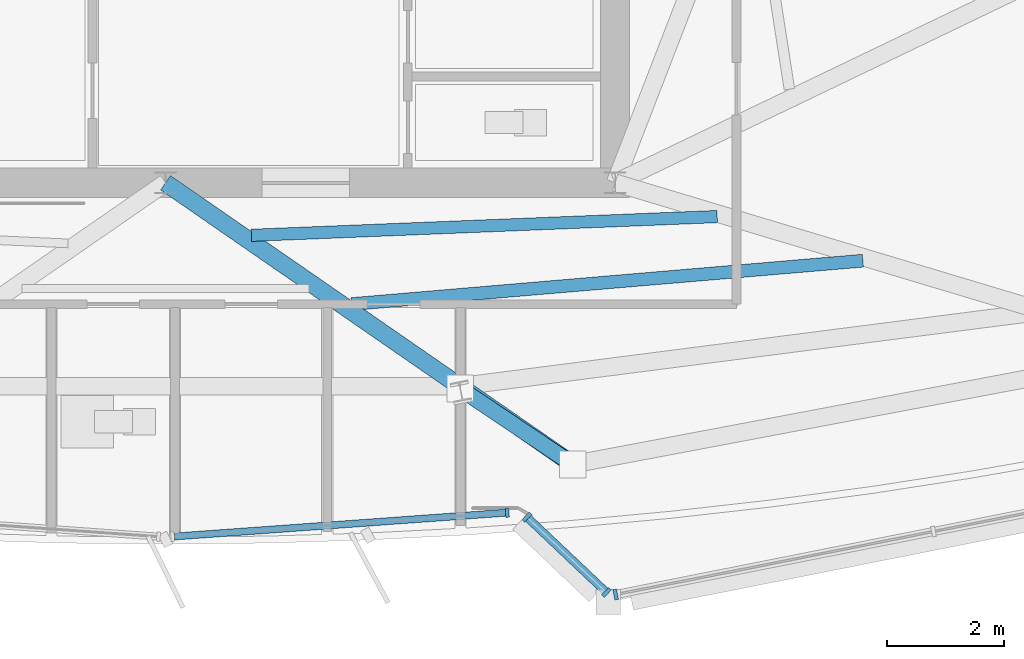
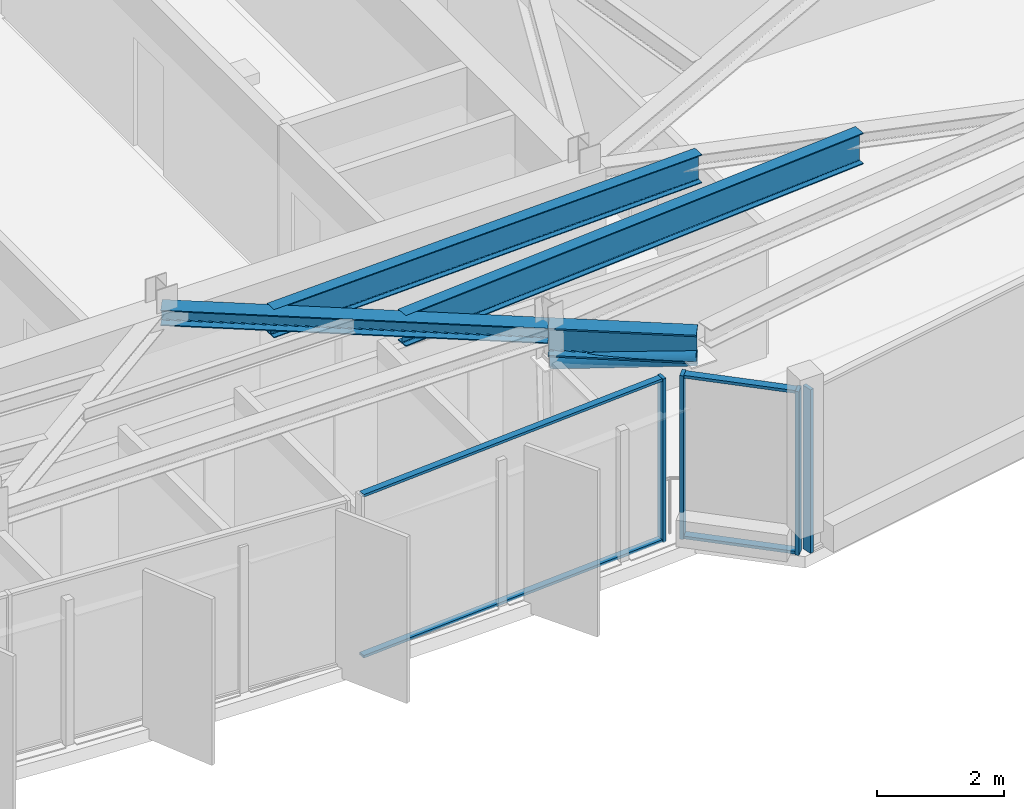
# One storey, part 3 of 13: 9 members, 4 beams, 3 elements without a shape of their own.
"""IFC4 building model written with IfcOpenShell, lengths in metres."""

from ifc_helpers import new_model, si_unit, direction, frame, origin, origin_2d, place, context, subcontext, project, spatial, rectangle, hollow_circle, i_section, extrude, material, material_profile, profile_set, type_object, element, aggregate, save


model = new_model("IFC4")

# Units and contexts
model_context = context("Model", 3, precision=1e-05, world=origin(), true_north=direction((0.0, 1.0)))
body_context = subcontext(model_context, "Body", "Model", "MODEL_VIEW")
ifc_project = project(units=[si_unit("LENGTHUNIT", "METRE"), si_unit("AREAUNIT", "SQUARE_METRE"), si_unit("VOLUMEUNIT", "CUBIC_METRE"), si_unit("PLANEANGLEUNIT", "RADIAN"), si_unit("MASSUNIT", "GRAM", prefix="KILO")], contexts=[model_context])

# Site, building, storey
site_placement = place(None, origin())
site = spatial("IfcSite", under=ifc_project, at=site_placement, CompositionType="ELEMENT")
building_placement = place(site_placement, origin())
building = spatial("IfcBuilding", under=site, at=building_placement, Name="Savorim Split Tower", CompositionType="ELEMENT")
storey_placement = place(building_placement, frame((0.0, 0.0, 290.39990234375)))
storey = spatial("IfcBuildingStorey", under=building, at=storey_placement, Name="L77", CompositionType="ELEMENT", Elevation=290.39990234375)

# Beams
ifc_material_1 = material(Name="Steel S355", Category="steel")
ifc_material_profile_1 = material_profile(ifc_material_1, i_section(OverallWidth=0.2099609375, OverallDepth=0.550048828125, WebThickness=0.010986328125, FlangeThickness=0.01708984375, FilletRadius=0.02392578125, at=origin_2d()), Name="IPE 550")
ifc_profile_set_1 = profile_set([ifc_material_profile_1], Name="Steel S355")
beam_type_1 = type_object("IfcBeamType", Name="BM-JST-IPE550", PredefinedType="JOIST", material=ifc_profile_set_1)
beam_1_placement = place(storey_placement, frame((1.47021484375, -10.2998046875, 2.875), z_axis=(0.999191208449, 0.040211055181, 0.0), x_axis=(-0.040211055181, 0.999191208449, 0.0)))
element("IfcBeam", 1, at=beam_1_placement, inside=storey, type_object=beam_type_1, Name="L77 Secondary Floor Joist JS-05", PredefinedType="JOIST", context=body_context, shape_type="SweptSolid", body=[
    extrude(i_section(OverallWidth=0.2099609375, OverallDepth=0.550048828125, WebThickness=0.010986328125, FlangeThickness=0.01708984375, FilletRadius=0.02392578125, at=origin_2d()), origin(), (0.0, 0.0, 1.0), 7.98388671875),
])
ifc_material_profile_2 = material_profile(ifc_material_1, i_section(OverallWidth=0.219970703125, OverallDepth=0.60009765625, WebThickness=0.011962890625, FlangeThickness=0.01904296875, FilletRadius=0.02392578125, at=origin_2d()), Name="IPE 600")
ifc_profile_set_2 = profile_set([ifc_material_profile_2], Name="Steel S355")
beam_type_2 = type_object("IfcBeamType", Name="BM-JST-IPE600", PredefinedType="JOIST", material=ifc_profile_set_2)
beam_2_placement = place(storey_placement, frame((3.18310546875, -11.4775390625, 2.85009765625), z_axis=(0.996420538137, 0.084534674417, 0.0), x_axis=(-0.084534674417, 0.996420538137, 0.0)))
element("IfcBeam", 2, at=beam_2_placement, inside=storey, type_object=beam_type_2, Name="L77 Secondary Floor Joist JS-04", PredefinedType="JOIST", context=body_context, shape_type="SweptSolid", body=[
    extrude(i_section(OverallWidth=0.219970703125, OverallDepth=0.60009765625, WebThickness=0.011962890625, FlangeThickness=0.01904296875, FilletRadius=0.02392578125, at=origin_2d()), origin(), (0.0, 0.0, 1.0), 8.791259765625),
])
ifc_material_profile_3 = material_profile(ifc_material_1, i_section(OverallWidth=0.300048828125, OverallDepth=0.300048828125, WebThickness=0.010986328125, FlangeThickness=0.01904296875, FilletRadius=0.027099609375, at=origin_2d()), Name="HEB 300")
ifc_profile_set_3 = profile_set([ifc_material_profile_3], Name="Steel S355")
beam_type_3 = type_object("IfcBeamType", Name="BM-PRI-HEB300", PredefinedType="BEAM", material=ifc_profile_set_3)
beam_3_placement = place(storey_placement, frame((5.039794921875, -12.885009765625, 3.0), z_axis=(-0.82249616242, 0.568770659233, 0.0), x_axis=(-0.568770659233, -0.82249616242, 0.0)))
element("IfcBeam", 3, at=beam_3_placement, inside=storey, type_object=beam_type_3, Name="L77 Primary Floor Girder RG-03", PredefinedType="BEAM", context=body_context, shape_type="SweptSolid", body=[
    extrude(i_section(OverallWidth=0.300048828125, OverallDepth=0.300048828125, WebThickness=0.010986328125, FlangeThickness=0.01904296875, FilletRadius=0.027099609375, at=origin_2d()), origin(), (0.0, 0.0, 1.0), 6.12744140625),
])
ifc_material_profile_4 = material_profile(ifc_material_1, i_section(OverallWidth=0.300048828125, OverallDepth=0.550048828125, WebThickness=0.014892578125, FlangeThickness=0.029052734375, FilletRadius=0.027099609375, at=origin_2d()), Name="HEB 550")
ifc_profile_set_4 = profile_set([ifc_material_profile_4], Name="Steel S355")
beam_type_4 = type_object("IfcBeamType", Name="BM-PRI-HEB550", PredefinedType="BEAM", material=ifc_profile_set_4)
beam_4_placement = place(storey_placement, frame((5.039794921875, -12.885009765625, 2.875), z_axis=(0.822483802061, -0.568788533066, 0.0), x_axis=(0.568788533066, 0.822483802061, 0.0)))
element("IfcBeam", 4, at=beam_4_placement, inside=storey, type_object=beam_type_4, Name="L77 Cantilevered Lounge Rib 1", PredefinedType="BEAM", context=body_context, shape_type="SweptSolid", body=[
    extrude(i_section(OverallWidth=0.300048828125, OverallDepth=0.550048828125, WebThickness=0.014892578125, FlangeThickness=0.029052734375, FilletRadius=0.027099609375, at=origin_2d()), origin(), (0.0, 0.0, 1.0), 2.35009765625),
])

# Curtain wall, member
ifc_material_2 = material(Name="Dark Ceramic-Fritted Insulated Glass", Category="glass")
curtain_wall_type_1 = type_object("IfcCurtainWallType", Name="CW-TWR-FRIT-B", PredefinedType="NOTDEFINED", material=ifc_material_2)
curtain_wall_1_placement = place(storey_placement, origin())
curtain_wall_1 = element("IfcCurtainWall", 5, at=curtain_wall_1_placement, inside=storey, type_object=curtain_wall_type_1, Name="L77 Curtain Wall CW-L77-SF3A", PredefinedType="NOTDEFINED")
ifc_material_3 = material(Name="Charcoal Anodised Aluminium", Category="aluminium")
ifc_material_profile_5 = material_profile(ifc_material_3, rectangle(XDim=0.159912109375, YDim=0.06005859375, at=origin_2d()), Name="ALU-M 160x60")
ifc_profile_set_5 = profile_set([ifc_material_profile_5], Name="Charcoal Anodised Aluminium")
member_type_1 = type_object("IfcMemberType", Name="CWM-160x60", PredefinedType="MULLION", material=ifc_profile_set_5)
member_1_placement = place(storey_placement, frame((5.8525390625, -15.048828125, 0.0), z_axis=(0.0, 0.0, 1.0), x_axis=(-0.071561606808, 0.997436181633, 0.0)))
member_1 = element("IfcMember", 6, at=member_1_placement, type_object=member_type_1, Name="CW-03 mullion 2", PredefinedType="MULLION", context=body_context, shape_type="SweptSolid", body=[
    extrude(rectangle(XDim=0.159912109375, YDim=0.06005859375, at=origin_2d()), origin(), (0.0, 0.0, 1.0), 3.150146484375),
])

curtain_wall_type_2 = type_object("IfcCurtainWallType", Name="CW-BAY-LOUNGE", PredefinedType="NOTDEFINED", material=ifc_material_2)
curtain_wall_2_placement = place(storey_placement, origin())
curtain_wall_2 = element("IfcCurtainWall", 7, at=curtain_wall_2_placement, inside=storey, type_object=curtain_wall_type_2, Name="L77 Curtain Wall CW-L77-BAYF", PredefinedType="NOTDEFINED")
ifc_material_profile_6 = material_profile(ifc_material_3, rectangle(XDim=0.179931640625, YDim=0.06494140625, at=origin_2d()), Name="ALU-M 180x65")
ifc_profile_set_6 = profile_set([ifc_material_profile_6], Name="Charcoal Anodised Aluminium")
member_type_2 = type_object("IfcMemberType", Name="CWM-180x65", PredefinedType="MULLION", material=ifc_profile_set_6)
member_2_placement = place(storey_placement, frame((7.708740234375, -16.45166015625, 0.0), z_axis=(0.0, 0.0, 1.0), x_axis=(-0.194484421737, 0.980905606927, 0.0)))
member_2 = element("IfcMember", 8, at=member_2_placement, type_object=member_type_2, Name="CW-04 mullion 1", PredefinedType="MULLION", context=body_context, shape_type="SweptSolid", body=[
    extrude(rectangle(XDim=0.179931640625, YDim=0.06494140625, at=origin_2d()), origin(), (0.0, 0.0, 1.0), 3.150146484375),
])
aggregate(curtain_wall_2, [member_2])

# Curtain wall, members
curtain_wall_3_placement = place(storey_placement, origin())
curtain_wall_3 = element("IfcCurtainWall", 9, at=curtain_wall_3_placement, inside=storey, type_object=curtain_wall_type_2, Name="L77 Curtain Wall CW-L77-BAYW", PredefinedType="NOTDEFINED")
member_3_placement = place(storey_placement, frame((6.190185546875, -15.126220703125, 0.0), z_axis=(0.0, 0.0, 1.0), x_axis=(0.687750367057, 0.725947265725, 0.0)))
member_3 = element("IfcMember", 10, at=member_3_placement, type_object=member_type_2, Name="CW-04 mullion 1", PredefinedType="MULLION", context=body_context, shape_type="SweptSolid", body=[
    extrude(rectangle(XDim=0.179931640625, YDim=0.06494140625, at=origin_2d()), origin(), (0.0, 0.0, 1.0), 3.150146484375),
])
member_4_placement = place(storey_placement, frame((7.55126953125, -16.415771484375, 0.0), z_axis=(0.0, 0.0, 1.0), x_axis=(0.687750367057, 0.725947265725, 0.0)))
member_4 = element("IfcMember", 11, at=member_4_placement, type_object=member_type_2, Name="CW-04 mullion 2", PredefinedType="MULLION", context=body_context, shape_type="SweptSolid", body=[
    extrude(rectangle(XDim=0.179931640625, YDim=0.06494140625, at=origin_2d()), origin(), (0.0, 0.0, 1.0), 3.150146484375),
])

# Member
ifc_material_profile_7 = material_profile(ifc_material_3, rectangle(XDim=0.1201171875, YDim=0.050048828125, at=origin_2d()), Name="ALU-T 120x50")
ifc_profile_set_7 = profile_set([ifc_material_profile_7], Name="Charcoal Anodised Aluminium")
member_type_3 = type_object("IfcMemberType", Name="CWT-120x50", PredefinedType="USERDEFINED", material=ifc_profile_set_7)
member_5_placement = place(storey_placement, frame((0.151123046875, -15.4580078125, 0.025146484375), z_axis=(0.997435326085, 0.071573530566, 0.0), x_axis=(-0.071573530566, 0.997435326085, 0.0)))
member_5 = element("IfcMember", 12, at=member_5_placement, type_object=member_type_3, Name="CW-03 transom 1.1", ObjectType="TRANSOM", PredefinedType="USERDEFINED", context=body_context, shape_type="SweptSolid", body=[
    extrude(rectangle(XDim=0.1201171875, YDim=0.050048828125, at=origin_2d()), origin(), (0.0, 0.0, 1.0), 5.686279296875),
])

member_6_placement = place(storey_placement, frame((0.151123046875, -15.4580078125, 3.125), z_axis=(0.997435326085, 0.071573530566, 0.0), x_axis=(-0.071573530566, 0.997435326085, 0.0)))
member_6 = element("IfcMember", 13, at=member_6_placement, type_object=member_type_3, Name="CW-03 transom 1.2", ObjectType="TRANSOM", PredefinedType="USERDEFINED", context=body_context, shape_type="SweptSolid", body=[
    extrude(rectangle(XDim=0.1201171875, YDim=0.050048828125, at=origin_2d()), origin(), (0.0, 0.0, 1.0), 5.686279296875),
])

aggregate(curtain_wall_1, [member_1, member_5, member_6])

ifc_material_profile_8 = material_profile(ifc_material_3, rectangle(XDim=0.139892578125, YDim=0.054931640625, at=origin_2d()), Name="ALU-T 140x55")
ifc_profile_set_8 = profile_set([ifc_material_profile_8], Name="Charcoal Anodised Aluminium")
member_type_4 = type_object("IfcMemberType", Name="CWT-140x55", PredefinedType="USERDEFINED", material=ifc_profile_set_8)
member_7_placement = place(storey_placement, frame((6.213623046875, -15.148681640625, 0.027587890625), z_axis=(0.726002307445, -0.687692263723, 0.0), x_axis=(0.687692263723, 0.726002307445, 0.0)))
member_7 = element("IfcMember", 14, at=member_7_placement, type_object=member_type_4, Name="CW-04 transom 1.1", ObjectType="TRANSOM", PredefinedType="USERDEFINED", context=body_context, shape_type="SweptSolid", body=[
    extrude(rectangle(XDim=0.139892578125, YDim=0.054931640625, at=origin_2d()), origin(), (0.0, 0.0, 1.0), 1.809814453125),
])

member_8_placement = place(storey_placement, frame((6.213623046875, -15.148681640625, 3.12255859375), z_axis=(0.726002307445, -0.687692263723, 0.0), x_axis=(0.687692263723, 0.726002307445, 0.0)))
member_8 = element("IfcMember", 15, at=member_8_placement, type_object=member_type_4, Name="CW-04 transom 1.2", ObjectType="TRANSOM", PredefinedType="USERDEFINED", context=body_context, shape_type="SweptSolid", body=[
    extrude(rectangle(XDim=0.139892578125, YDim=0.054931640625, at=origin_2d()), origin(), (0.0, 0.0, 1.0), 1.809814453125),
])

aggregate(curtain_wall_3, [member_3, member_4, member_7, member_8])

ifc_material_profile_9 = material_profile(ifc_material_1, hollow_circle(Radius=0.136474609375, WallThickness=0.01611328125, at=origin_2d()), Name="CHS 273x16")
ifc_profile_set_9 = profile_set([ifc_material_profile_9], Name="Steel S355")
member_type_5 = type_object("IfcMemberType", Name="MBR-CRN-CHS273", PredefinedType="BRACE", material=ifc_profile_set_9)
member_9_placement = place(storey_placement, frame((5.047607421875, -12.925537109375, 2.4501953125), z_axis=(0.827285994606, -0.557014755278, 0.073023595719), x_axis=(0.558505846729, 0.829500584189, 0.0)))
element("IfcMember", 16, at=member_9_placement, inside=storey, type_object=member_type_5, Name="L77 Cantilevered Bay Support Strut 1", PredefinedType="BRACE", context=body_context, shape_type="SweptSolid", body=[
    extrude(hollow_circle(Radius=0.136474609375, WallThickness=0.01611328125, at=origin_2d()), origin(), (0.0, 0.0, 1.0), 2.326904296875),
])

save(model, "model.ifc")
